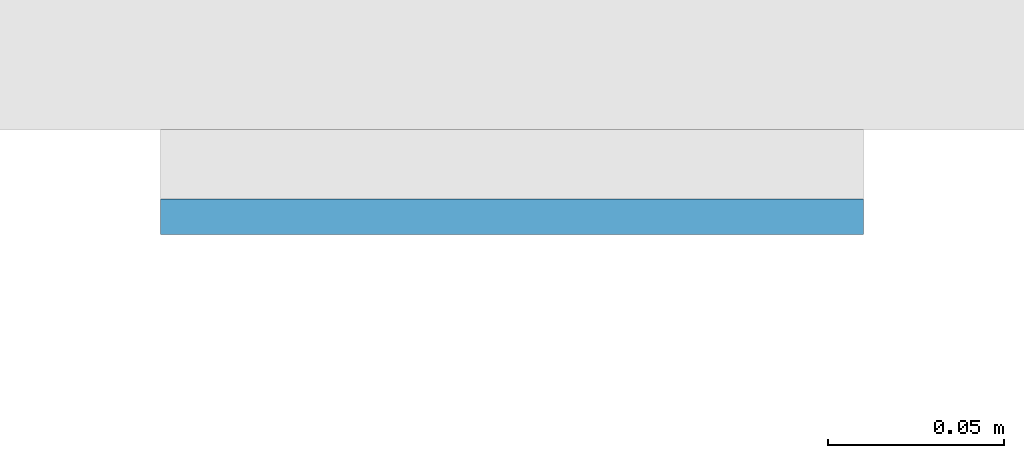
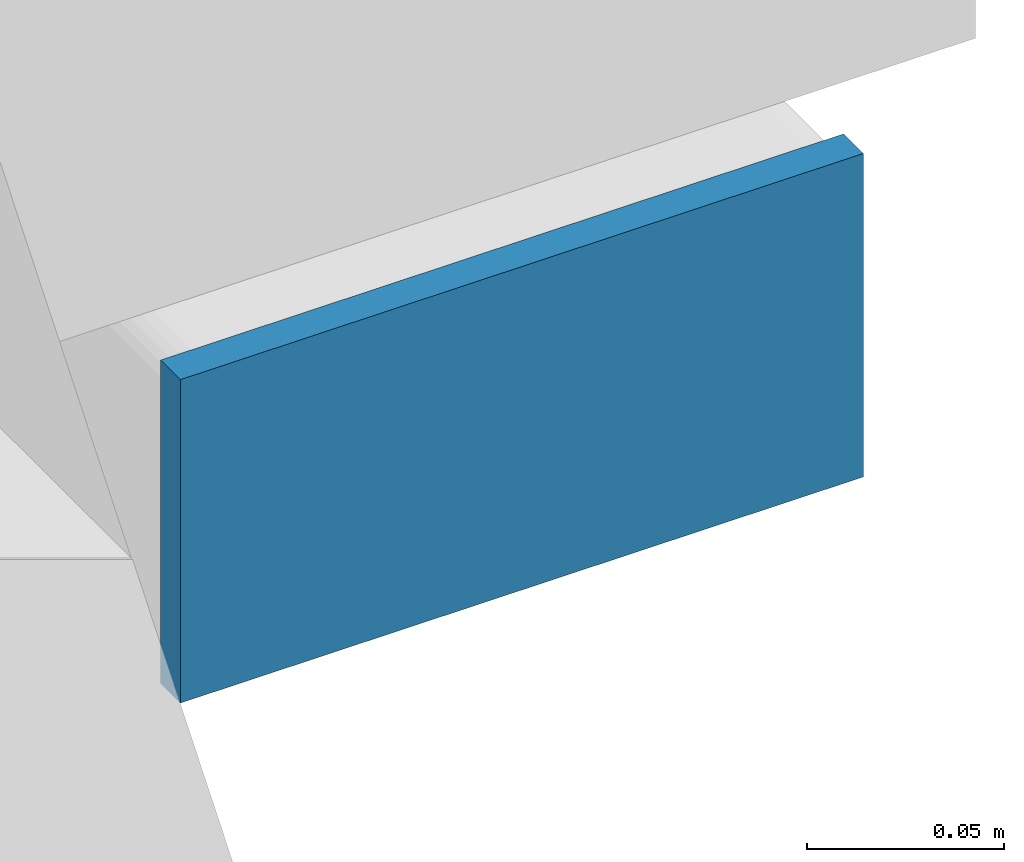
# One storey, part 10 of 20: 1 plate.
"""IFC4 building model written with IfcOpenShell, lengths in metres."""

from ifc_helpers import new_model, si_unit, direction, frame, origin, origin_2d, place, context, subcontext, project, spatial, rectangle, extrude, material, layer, layer_set, type_object, element, save


model = new_model("IFC4")

# Units and contexts
model_context = context("Model", 3, precision=1e-05, world=origin(), true_north=direction((0.0, 1.0)))
body_context = subcontext(model_context, "Body", "Model", "MODEL_VIEW")
ifc_project = project(units=[si_unit("LENGTHUNIT", "METRE"), si_unit("AREAUNIT", "SQUARE_METRE"), si_unit("VOLUMEUNIT", "CUBIC_METRE"), si_unit("PLANEANGLEUNIT", "RADIAN"), si_unit("MASSUNIT", "GRAM", prefix="KILO")], contexts=[model_context])

# Site, building, storey
site_placement = place(None, origin())
site = spatial("IfcSite", under=ifc_project, at=site_placement, CompositionType="ELEMENT")
building_placement = place(site_placement, origin())
building = spatial("IfcBuilding", under=site, at=building_placement, Name="Cleftline Residences", CompositionType="ELEMENT")
storey_placement = place(building_placement, frame((0.0, 0.0, 185.800048828125)))
storey = spatial("IfcBuildingStorey", under=building, at=storey_placement, Name="L48", CompositionType="ELEMENT", Elevation=185.800048828125)

# Plate
ifc_material = material(Name="Steel S355, hot-dip galvanised", Category="steel")
ifc_layer = layer(ifc_material, 0.010009765625)
ifc_layer_set = layer_set([ifc_layer], Name="BAGUETTE CARRIER END PLATE 200X100X10")
plate_type = type_object("IfcPlateType", Name="BAGUETTE CARRIER END PLATE 200X100X10", PredefinedType="USERDEFINED", material=ifc_layer_set)
plate_placement = place(storey_placement, frame((66.85009765625, 3.695068359375, -0.10009765625), z_axis=(0.0, 0.0, 1.0), x_axis=(1.0, 0.0, 0.0)))
element("IfcPlate", 1, at=plate_placement, inside=storey, type_object=plate_type, Name="Baguette carrier end plate", ObjectType="BAGUETTE CARRIER END PLATE", PredefinedType="USERDEFINED", context=body_context, shape_type="SweptSolid", body=[
    extrude(rectangle(XDim=0.199951171875, YDim=0.010009765625, at=origin_2d()), origin(), (0.0, 0.0, 1.0), 0.10009765625),
])

save(model, "model.ifc")
